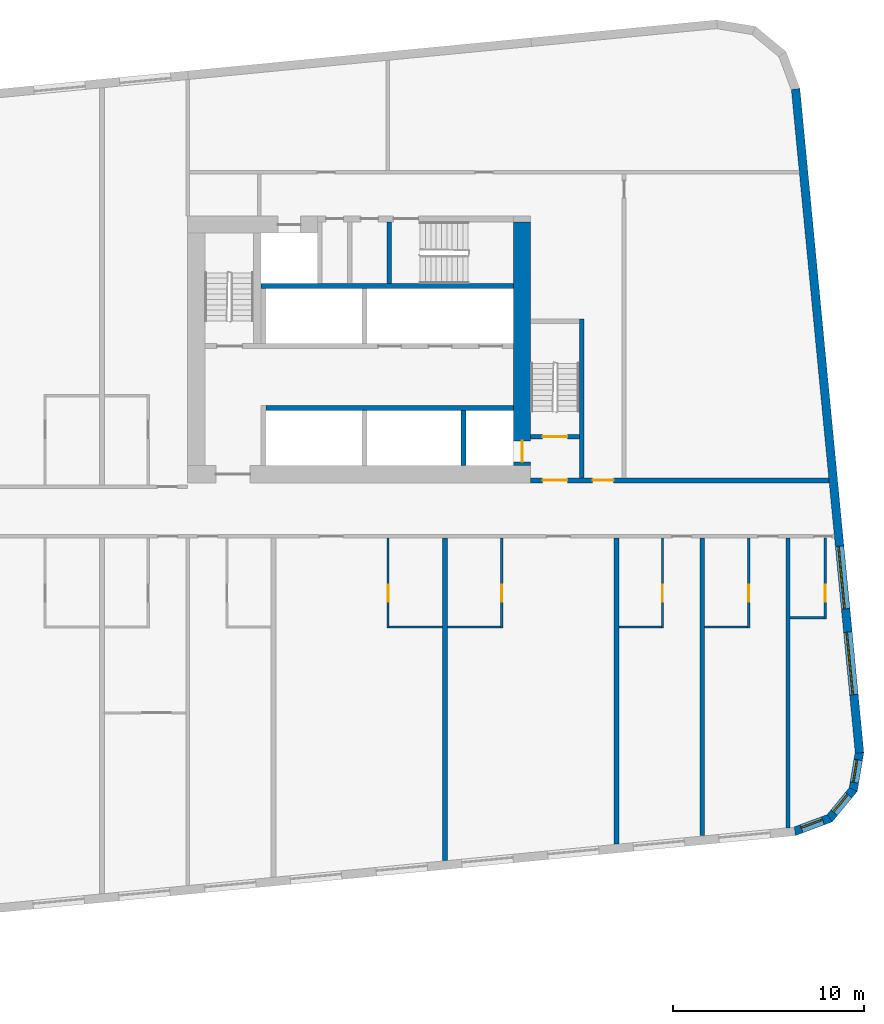
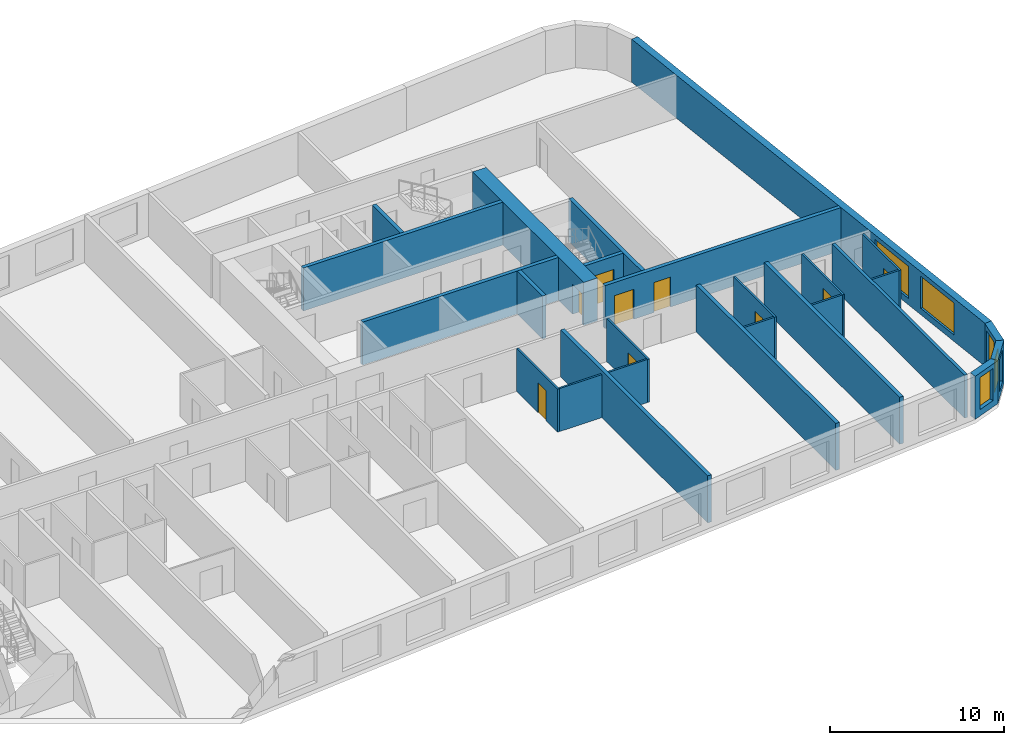
# One storey, part 7 of 12: 26 walls, 9 doors, 5 windows, 14 openings.
"""IFC4 building model written with IfcOpenShell, lengths in metres."""

from ifc_helpers import new_model, si_unit, direction, frame, frame_2d, origin, place, context, subcontext, project, spatial, polyline, rectangle, outline, extrude, material, layer, layer_set, type_object, element, fill, save


model = new_model("IFC4")

# Units and contexts
model_context = context("Model", 3, precision=1e-05, world=origin(), true_north=direction((0.0, 1.0)))
body_context = subcontext(model_context, "Body", "Model", "MODEL_VIEW")
ifc_project = project(units=[si_unit("LENGTHUNIT", "METRE"), si_unit("AREAUNIT", "SQUARE_METRE"), si_unit("VOLUMEUNIT", "CUBIC_METRE"), si_unit("PLANEANGLEUNIT", "RADIAN"), si_unit("MASSUNIT", "GRAM", prefix="KILO")], contexts=[model_context])

# Site, building, storey
site_placement = place(None, origin())
site = spatial("IfcSite", under=ifc_project, at=site_placement, CompositionType="ELEMENT")
building_placement = place(site_placement, origin())
building = spatial("IfcBuilding", under=site, at=building_placement, Name="Kajstack Hotel Tower", CompositionType="ELEMENT")
storey_placement = place(building_placement, frame((0.0, 0.0, 117.39990234375)))
storey = spatial("IfcBuildingStorey", under=building, at=storey_placement, Name="L25", CompositionType="ELEMENT", Elevation=117.39990234375)

# Wall, opening, door
ifc_material_1 = material(Name="Concrete C60/75", Category="concrete")
ifc_layer_1 = layer(ifc_material_1, 0.89990234375)
ifc_layer_set_1 = layer_set([ifc_layer_1], Name="Core wall 900")
wall_type_1 = type_object("IfcWallType", Name="Core wall 900", PredefinedType="SHEAR", material=ifc_layer_set_1)
wall_1_placement = place(storey_placement, frame((31.050048828125, 2.39990234375, 0.0), z_axis=(0.0, 0.0, 1.0), x_axis=(0.0, 1.0, 0.0)))
wall_1 = element("IfcWall", 1, at=wall_1_placement, inside=storey, type_object=wall_type_1, Name="Core wall E RW", PredefinedType="SHEAR", context=body_context, shape_type="SweptSolid", body=[
    extrude(rectangle(XDim=12.800048828125, YDim=0.89990234375, at=frame_2d((6.39990234375, 0.0))), origin(), (0.0, 0.0, 1.0), 3.02001953125),
])
opening_1_placement = place(wall_1_placement, frame((0.199951171875, 0.0, 0.0)))
opening_1 = element("IfcOpeningElement", 2, at=opening_1_placement, cuts=wall_1, Name="Opening LD-FF2", PredefinedType="OPENING", context=body_context, shape_type="SweptSolid", body=[
    extrude(rectangle(XDim=1.10009765625, YDim=2.10009765625, at=frame_2d((0.550048828125, 1.050048828125))), frame((0.0, 0.4599609375, 0.0), z_axis=(0.0, -1.0, 0.0), x_axis=(1.0, 0.0, 0.0)), (0.0, 0.0, 1.0), 0.919921875),
])
ifc_material_2 = material(Name="Stainless steel", Category="steel")
door_type_1 = type_object("IfcDoorType", Name="Fire-fighting lift landing door 1100", OperationType="SLIDING_TO_LEFT", PredefinedType="DOOR", material=ifc_material_2)
door_1_placement = place(opening_1_placement, origin())
door_1 = element("IfcDoor", 3, at=door_1_placement, inside=storey, type_object=door_type_1, Name="Landing door FF2", OperationType="SLIDING_TO_LEFT", OverallHeight=2.10009765625, OverallWidth=1.10009765625, PredefinedType="DOOR", context=body_context, shape_type="SweptSolid", body=[
    extrude(rectangle(XDim=1.10009765625, YDim=2.10009765625, at=frame_2d((0.550048828125, 1.050048828125))), frame((0.0, 0.02490234375, 0.0), z_axis=(0.0, -1.0, 0.0), x_axis=(1.0, 0.0, 0.0)), (0.0, 0.0, 1.0), 0.050048828125),
])
fill(opening_1, door_1)

# Wall
ifc_material_3 = material(Name="Twin-frame gypsum board on steel studs, mineral wool", Category="steel")
ifc_layer_2 = layer(ifc_material_3, 0.199951171875)
ifc_layer_set_2 = layer_set([ifc_layer_2], Name="Demising wall 200")
wall_type_2 = type_object("IfcWallType", Name="Demising wall 200", PredefinedType="PARTITIONING", material=ifc_layer_set_2)
wall_2_placement = place(storey_placement, frame((45.0, -16.59912109375, 0.0), z_axis=(0.0, 0.0, 1.0), x_axis=(0.0, 1.0, 0.0)))
element("IfcWall", 4, at=wall_2_placement, inside=storey, type_object=wall_type_2, Name="G-wall-L25-044", PredefinedType="PARTITIONING", context=body_context, shape_type="SweptSolid", body=[
    extrude(rectangle(XDim=15.19921875, YDim=0.199951171875, at=frame_2d((7.599609375, 0.0))), origin(), (0.0, 0.0, 1.0), 3.02001953125),
])

# Wall, opening, window
ifc_material_4 = material(Name="Terracotta-faced brick masonry", Category="masonry")
ifc_layer_3 = layer(ifc_material_4, 0.449951171875)
ifc_layer_set_3 = layer_set([ifc_layer_3], Name="EW-TERRA")
wall_type_3 = type_object("IfcWallType", Name="EW-TERRA", PredefinedType="SOLIDWALL", material=ifc_layer_set_3)
wall_3_placement = place(storey_placement, frame((45.300048828125, -16.804443359375, 0.0), z_axis=(0.0, 0.0, 1.0), x_axis=(0.936677599948, 0.350192909346, 0.0)))
wall_3 = element("IfcWall", 5, at=wall_3_placement, inside=storey, type_object=wall_type_3, Name="E-wall-L25-05-00", PredefinedType="SOLIDWALL", context=body_context, shape_type="SweptSolid", body=[
    extrude(outline(polyline([(0.0, -0.224853515625), (2.070556640625, -0.224853515625), (1.949951171875, 0.22509765625), (0.12060546875, 0.22509765625), (0.0, -0.224853515625)])), origin(), (0.0, 0.0, 1.0), 3.02001953125),
])
opening_2_placement = place(wall_3_placement, frame((0.435302734375, 0.0, 0.449951171875)))
opening_2 = element("IfcOpeningElement", 6, at=opening_2_placement, cuts=wall_3, Name="Opening W3", PredefinedType="OPENING", context=body_context, shape_type="SweptSolid", body=[
    extrude(rectangle(XDim=1.199951171875, YDim=2.25, at=frame_2d((0.60009765625, 1.125))), frame((0.0, 0.23486328125, 0.0), z_axis=(0.0, -1.0, 0.0), x_axis=(1.0, 0.0, 0.0)), (0.0, 0.0, 1.0), 0.469970703125),
])
ifc_material_5 = material(Name="Timber-aluminium window, triple glazed", Category="wood")
window_type_1 = type_object("IfcWindowType", Name="WG3", PartitioningType="SINGLE_PANEL", PredefinedType="WINDOW", material=ifc_material_5)
window_1_placement = place(opening_2_placement, origin())
window_1 = element("IfcWindow", 7, at=window_1_placement, inside=storey, type_object=window_type_1, Name="Window W3 L25-05", OverallHeight=2.25, OverallWidth=1.199951171875, PartitioningType="SINGLE_PANEL", PredefinedType="WINDOW", context=body_context, shape_type="SweptSolid", body=[
    extrude(rectangle(XDim=1.199951171875, YDim=2.25, at=frame_2d((0.60009765625, 1.125))), frame((0.0, 0.090087890625, 0.0), z_axis=(0.0, -1.0, 0.0), x_axis=(1.0, 0.0, 0.0)), (0.0, 0.0, 1.0), 0.06005859375),
])
fill(opening_2, window_1)

wall_4_placement = place(storey_placement, frame((47.144775390625, -16.14697265625, 0.0), z_axis=(0.0, 0.0, 1.0), x_axis=(0.635988241739, 0.771698747161, 0.0)))
wall_4 = element("IfcWall", 8, at=wall_4_placement, inside=storey, type_object=wall_type_3, Name="E-wall-L25-06-00", PredefinedType="SOLIDWALL", context=body_context, shape_type="SweptSolid", body=[
    extrude(outline(polyline([(0.0, -0.224853515625), (2.070556640625, -0.22509765625), (1.949951171875, 0.224853515625), (0.12060546875, 0.22509765625), (0.0, -0.224853515625)])), origin(), (0.0, 0.0, 1.0), 3.02001953125),
])
opening_3_placement = place(wall_4_placement, frame((0.435302734375, 0.0, 0.449951171875)))
opening_3 = element("IfcOpeningElement", 9, at=opening_3_placement, cuts=wall_4, Name="Opening W3", PredefinedType="OPENING", context=body_context, shape_type="SweptSolid", body=[
    extrude(rectangle(XDim=1.199951171875, YDim=2.25, at=frame_2d((0.60009765625, 1.125))), frame((0.0, 0.23486328125, 0.0), z_axis=(0.0, -1.0, 0.0), x_axis=(1.0, 0.0, 0.0)), (0.0, 0.0, 1.0), 0.469970703125),
])
window_2_placement = place(opening_3_placement, origin())
window_2 = element("IfcWindow", 10, at=window_2_placement, inside=storey, type_object=window_type_1, Name="Window W3 L25-06", OverallHeight=2.25, OverallWidth=1.199951171875, PartitioningType="SINGLE_PANEL", PredefinedType="WINDOW", context=body_context, shape_type="SweptSolid", body=[
    extrude(rectangle(XDim=1.199951171875, YDim=2.25, at=frame_2d((0.60009765625, 1.125))), frame((0.0, 0.090087890625, 0.0), z_axis=(0.0, -1.0, 0.0), x_axis=(1.0, 0.0, 0.0)), (0.0, 0.0, 1.0), 0.06005859375),
])
fill(opening_3, window_2)

wall_5_placement = place(storey_placement, frame((48.413330078125, -14.6552734375, 0.0), z_axis=(0.0, 0.0, 1.0), x_axis=(0.165068144653, 0.986282164302, 0.0)))
wall_5 = element("IfcWall", 11, at=wall_5_placement, inside=storey, type_object=wall_type_3, Name="E-wall-L25-07-00", PredefinedType="SOLIDWALL", context=body_context, shape_type="SweptSolid", body=[
    extrude(outline(polyline([(0.0, -0.22509765625), (2.07080078125, -0.224853515625), (1.9501953125, 0.22509765625), (0.12060546875, 0.224853515625), (0.0, -0.22509765625)])), origin(), (0.0, 0.0, 1.0), 3.02001953125),
])
opening_4_placement = place(wall_5_placement, frame((0.435302734375, 0.0, 0.449951171875)))
opening_4 = element("IfcOpeningElement", 12, at=opening_4_placement, cuts=wall_5, Name="Opening W3", PredefinedType="OPENING", context=body_context, shape_type="SweptSolid", body=[
    extrude(rectangle(XDim=1.199951171875, YDim=2.25, at=frame_2d((0.60009765625, 1.125))), frame((0.0, 0.23486328125, 0.0), z_axis=(0.0, -1.0, 0.0), x_axis=(1.0, 0.0, 0.0)), (0.0, 0.0, 1.0), 0.469970703125),
])
window_3_placement = place(opening_4_placement, origin())
window_3 = element("IfcWindow", 13, at=window_3_placement, inside=storey, type_object=window_type_1, Name="Window W3 L25-07", OverallHeight=2.25, OverallWidth=1.199951171875, PartitioningType="SINGLE_PANEL", PredefinedType="WINDOW", context=body_context, shape_type="SweptSolid", body=[
    extrude(rectangle(XDim=1.199951171875, YDim=2.25, at=frame_2d((0.60009765625, 1.125))), frame((0.0, 0.090087890625, 0.0), z_axis=(0.0, -1.0, 0.0), x_axis=(1.0, 0.0, 0.0)), (0.0, 0.0, 1.0), 0.06005859375),
])
fill(opening_4, window_3)

# Wall, openings, windows
wall_6_placement = place(storey_placement, frame((48.7529296875, -12.671630859375, 0.0), z_axis=(0.0, 0.0, 1.0), x_axis=(-0.095842661909, 0.995396495954, 0.0)))
wall_6 = element("IfcWall", 14, at=wall_6_placement, inside=storey, type_object=wall_type_3, Name="E-wall-L25-08-00", PredefinedType="SOLIDWALL", context=body_context, shape_type="SweptSolid", body=[
    extrude(rectangle(XDim=35.0, YDim=0.449951171875, at=frame_2d((17.5, 0.0))), origin(), (0.0, 0.0, 1.0), 3.02001953125),
])
opening_5_placement = place(wall_6_placement, frame((3.07177734375, 0.0, 0.449951171875)))
opening_5 = element("IfcOpeningElement", 15, at=opening_5_placement, cuts=wall_6, Name="Opening W2", PredefinedType="OPENING", context=body_context, shape_type="SweptSolid", body=[
    extrude(rectangle(XDim=3.300048828125, YDim=2.25, at=frame_2d((1.64990234375, 1.125))), frame((0.0, 0.23486328125, 0.0), z_axis=(0.0, -1.0, 0.0), x_axis=(1.0, 0.0, 0.0)), (0.0, 0.0, 1.0), 0.469970703125),
])
opening_6_placement = place(wall_6_placement, frame((7.592529296875, 0.0, 0.449951171875)))
opening_6 = element("IfcOpeningElement", 16, at=opening_6_placement, cuts=wall_6, Name="Opening W2", PredefinedType="OPENING", context=body_context, shape_type="SweptSolid", body=[
    extrude(rectangle(XDim=3.300048828125, YDim=2.25, at=frame_2d((1.64990234375, 1.125))), frame((0.0, 0.23486328125, 0.0), z_axis=(0.0, -1.0, 0.0), x_axis=(1.0, 0.0, 0.0)), (0.0, 0.0, 1.0), 0.469970703125),
])
window_type_2 = type_object("IfcWindowType", Name="WG2", PartitioningType="SINGLE_PANEL", PredefinedType="WINDOW", material=ifc_material_5)
window_4_placement = place(opening_5_placement, origin())
window_4 = element("IfcWindow", 17, at=window_4_placement, inside=storey, type_object=window_type_2, Name="Window W2 L25-08", OverallHeight=2.25, OverallWidth=3.300048828125, PartitioningType="SINGLE_PANEL", PredefinedType="WINDOW", context=body_context, shape_type="SweptSolid", body=[
    extrude(rectangle(XDim=3.300048828125, YDim=2.25, at=frame_2d((1.64990234375, 1.125))), frame((0.0, 0.090087890625, 0.0), z_axis=(0.0, -1.0, 0.0), x_axis=(1.0, 0.0, 0.0)), (0.0, 0.0, 1.0), 0.06005859375),
])
fill(opening_5, window_4)
window_5_placement = place(opening_6_placement, origin())
window_5 = element("IfcWindow", 18, at=window_5_placement, inside=storey, type_object=window_type_2, Name="Window W2 L25-08", OverallHeight=2.25, OverallWidth=3.300048828125, PartitioningType="SINGLE_PANEL", PredefinedType="WINDOW", context=body_context, shape_type="SweptSolid", body=[
    extrude(rectangle(XDim=3.300048828125, YDim=2.25, at=frame_2d((1.64990234375, 1.125))), frame((0.0, 0.090087890625, 0.0), z_axis=(0.0, -1.0, 0.0), x_axis=(1.0, 0.0, 0.0)), (0.0, 0.0, 1.0), 0.06005859375),
])
fill(opening_6, window_5)

# Wall, opening, door
ifc_material_6 = material(Name="Gypsum board and tiled backer on steel studs", Category="steel")
ifc_layer_4 = layer(ifc_material_6, 0.125)
ifc_layer_set_4 = layer_set([ifc_layer_4], Name="En-suite wall 125")
wall_type_4 = type_object("IfcWallType", Name="En-suite wall 125", PredefinedType="PARTITIONING", material=ifc_layer_set_4)
wall_7_placement = place(storey_placement, frame((24.011962890625, -6.125, 0.0), z_axis=(0.0, 0.0, 1.0), x_axis=(0.0, 1.0, 0.0)))
wall_7 = element("IfcWall", 19, at=wall_7_placement, inside=storey, type_object=wall_type_4, Name="G-wall-L25-038", PredefinedType="PARTITIONING", context=body_context, shape_type="SweptSolid", body=[
    extrude(rectangle(XDim=4.72509765625, YDim=0.125, at=frame_2d((2.362548828125, 0.0))), origin(), (0.0, 0.0, 1.0), 3.02001953125),
])
opening_7_placement = place(wall_7_placement, frame((1.375, 0.0, 0.0)))
opening_7 = element("IfcOpeningElement", 20, at=opening_7_placement, cuts=wall_7, Name="Opening 25032", PredefinedType="OPENING", context=body_context, shape_type="SweptSolid", body=[
    extrude(rectangle(XDim=0.89990234375, YDim=2.10009765625, at=frame_2d((0.449951171875, 1.050048828125))), frame((0.0, 0.072509765625, 0.0), z_axis=(0.0, -1.0, 0.0), x_axis=(1.0, 0.0, 0.0)), (0.0, 0.0, 1.0), 0.14501953125),
])
ifc_material_7 = material(Name="Painted timber door leaf", Category="wood")
door_type_2 = type_object("IfcDoorType", Name="Room door 900", OperationType="SINGLE_SWING_LEFT", PredefinedType="DOOR", material=ifc_material_7)
door_2_placement = place(opening_7_placement, origin())
door_2 = element("IfcDoor", 21, at=door_2_placement, inside=storey, type_object=door_type_2, Name="G-door-L25-32", OperationType="SINGLE_SWING_RIGHT", OverallHeight=2.10009765625, OverallWidth=0.89990234375, PredefinedType="DOOR", context=body_context, shape_type="SweptSolid", body=[
    extrude(rectangle(XDim=0.89990234375, YDim=2.10009765625, at=frame_2d((0.449951171875, 1.050048828125))), frame((0.0, 0.02490234375, 0.0), z_axis=(0.0, -1.0, 0.0), x_axis=(1.0, 0.0, 0.0)), (0.0, 0.0, 1.0), 0.050048828125),
])
fill(opening_7, door_2)

# Wall
wall_8_placement = place(storey_placement, frame((24.074951171875, -6.06201171875, 0.0), z_axis=(0.0, 0.0, 1.0), x_axis=(1.0, 0.0, 0.0)))
element("IfcWall", 22, at=wall_8_placement, inside=storey, type_object=wall_type_4, Name="G-wall-L25-039", PredefinedType="PARTITIONING", context=body_context, shape_type="SweptSolid", body=[
    extrude(rectangle(XDim=2.800048828125, YDim=0.125, at=frame_2d((1.39990234375, 0.0))), origin(), (0.0, 0.0, 1.0), 3.02001953125),
])

# Wall, opening, door
wall_9_placement = place(storey_placement, frame((29.988037109375, -6.125, 0.0), z_axis=(0.0, 0.0, 1.0), x_axis=(0.0, 1.0, 0.0)))
wall_9 = element("IfcWall", 23, at=wall_9_placement, inside=storey, type_object=wall_type_4, Name="G-wall-L25-040", PredefinedType="PARTITIONING", context=body_context, shape_type="SweptSolid", body=[
    extrude(rectangle(XDim=4.72509765625, YDim=0.125, at=frame_2d((2.362548828125, 0.0))), origin(), (0.0, 0.0, 1.0), 3.02001953125),
])
opening_8_placement = place(wall_9_placement, frame((1.375, 0.0, 0.0)))
opening_8 = element("IfcOpeningElement", 24, at=opening_8_placement, cuts=wall_9, Name="Opening 25034", PredefinedType="OPENING", context=body_context, shape_type="SweptSolid", body=[
    extrude(rectangle(XDim=0.89990234375, YDim=2.10009765625, at=frame_2d((0.449951171875, 1.050048828125))), frame((0.0, 0.072509765625, 0.0), z_axis=(0.0, -1.0, 0.0), x_axis=(1.0, 0.0, 0.0)), (0.0, 0.0, 1.0), 0.14501953125),
])
door_3_placement = place(opening_8_placement, origin())
door_3 = element("IfcDoor", 25, at=door_3_placement, inside=storey, type_object=door_type_2, Name="G-door-L25-34", OperationType="SINGLE_SWING_RIGHT", OverallHeight=2.10009765625, OverallWidth=0.89990234375, PredefinedType="DOOR", context=body_context, shape_type="SweptSolid", body=[
    extrude(rectangle(XDim=0.89990234375, YDim=2.10009765625, at=frame_2d((0.449951171875, 1.050048828125))), frame((0.0, 0.02490234375, 0.0), z_axis=(0.0, -1.0, 0.0), x_axis=(1.0, 0.0, 0.0)), (0.0, 0.0, 1.0), 0.050048828125),
])
fill(opening_8, door_3)

# Wall
wall_10_placement = place(storey_placement, frame((27.125, -6.06201171875, 0.0), z_axis=(0.0, 0.0, 1.0), x_axis=(1.0, 0.0, 0.0)))
element("IfcWall", 26, at=wall_10_placement, inside=storey, type_object=wall_type_4, Name="G-wall-L25-041", PredefinedType="PARTITIONING", context=body_context, shape_type="SweptSolid", body=[
    extrude(rectangle(XDim=2.800048828125, YDim=0.125, at=frame_2d((1.39990234375, 0.0))), origin(), (0.0, 0.0, 1.0), 3.02001953125),
])

# Wall, opening, door
wall_11_placement = place(storey_placement, frame((38.4130859375, -6.125, 0.0), z_axis=(0.0, 0.0, 1.0), x_axis=(0.0, 1.0, 0.0)))
wall_11 = element("IfcWall", 27, at=wall_11_placement, inside=storey, type_object=wall_type_4, Name="G-wall-L25-042", PredefinedType="PARTITIONING", context=body_context, shape_type="SweptSolid", body=[
    extrude(rectangle(XDim=4.72509765625, YDim=0.125, at=frame_2d((2.362548828125, 0.0))), origin(), (0.0, 0.0, 1.0), 3.02001953125),
])
opening_9_placement = place(wall_11_placement, frame((1.375, 0.0, 0.0)))
opening_9 = element("IfcOpeningElement", 28, at=opening_9_placement, cuts=wall_11, Name="Opening 25036", PredefinedType="OPENING", context=body_context, shape_type="SweptSolid", body=[
    extrude(rectangle(XDim=0.89990234375, YDim=2.10009765625, at=frame_2d((0.449951171875, 1.050048828125))), frame((0.0, 0.072509765625, 0.0), z_axis=(0.0, -1.0, 0.0), x_axis=(1.0, 0.0, 0.0)), (0.0, 0.0, 1.0), 0.14501953125),
])
door_4_placement = place(opening_9_placement, origin())
door_4 = element("IfcDoor", 29, at=door_4_placement, inside=storey, type_object=door_type_2, Name="G-door-L25-36", OperationType="SINGLE_SWING_RIGHT", OverallHeight=2.10009765625, OverallWidth=0.89990234375, PredefinedType="DOOR", context=body_context, shape_type="SweptSolid", body=[
    extrude(rectangle(XDim=0.89990234375, YDim=2.10009765625, at=frame_2d((0.449951171875, 1.050048828125))), frame((0.0, 0.02490234375, 0.0), z_axis=(0.0, -1.0, 0.0), x_axis=(1.0, 0.0, 0.0)), (0.0, 0.0, 1.0), 0.050048828125),
])
fill(opening_9, door_4)

# Wall
wall_12_placement = place(storey_placement, frame((36.125, -6.06201171875, 0.0), z_axis=(0.0, 0.0, 1.0), x_axis=(1.0, 0.0, 0.0)))
element("IfcWall", 30, at=wall_12_placement, inside=storey, type_object=wall_type_4, Name="G-wall-L25-043", PredefinedType="PARTITIONING", context=body_context, shape_type="SweptSolid", body=[
    extrude(rectangle(XDim=2.22509765625, YDim=0.125, at=frame_2d((1.112548828125, 0.0))), origin(), (0.0, 0.0, 1.0), 3.02001953125),
])

# Wall, opening, door
wall_13_placement = place(storey_placement, frame((42.93798828125, -6.125, 0.0), z_axis=(0.0, 0.0, 1.0), x_axis=(0.0, 1.0, 0.0)))
wall_13 = element("IfcWall", 31, at=wall_13_placement, inside=storey, type_object=wall_type_4, Name="G-wall-L25-045", PredefinedType="PARTITIONING", context=body_context, shape_type="SweptSolid", body=[
    extrude(rectangle(XDim=4.72509765625, YDim=0.125, at=frame_2d((2.362548828125, 0.0))), origin(), (0.0, 0.0, 1.0), 3.02001953125),
])
opening_10_placement = place(wall_13_placement, frame((1.375, 0.0, 0.0)))
opening_10 = element("IfcOpeningElement", 32, at=opening_10_placement, cuts=wall_13, Name="Opening 25038", PredefinedType="OPENING", context=body_context, shape_type="SweptSolid", body=[
    extrude(rectangle(XDim=0.89990234375, YDim=2.10009765625, at=frame_2d((0.449951171875, 1.050048828125))), frame((0.0, 0.072509765625, 0.0), z_axis=(0.0, -1.0, 0.0), x_axis=(1.0, 0.0, 0.0)), (0.0, 0.0, 1.0), 0.14501953125),
])
door_5_placement = place(opening_10_placement, origin())
door_5 = element("IfcDoor", 33, at=door_5_placement, inside=storey, type_object=door_type_2, Name="G-door-L25-38", OperationType="SINGLE_SWING_LEFT", OverallHeight=2.10009765625, OverallWidth=0.89990234375, PredefinedType="DOOR", context=body_context, shape_type="SweptSolid", body=[
    extrude(rectangle(XDim=0.89990234375, YDim=2.10009765625, at=frame_2d((0.449951171875, 1.050048828125))), frame((0.0, 0.02490234375, 0.0), z_axis=(0.0, -1.0, 0.0), x_axis=(1.0, 0.0, 0.0)), (0.0, 0.0, 1.0), 0.050048828125),
])
fill(opening_10, door_5)

# Wall
wall_14_placement = place(storey_placement, frame((40.625, -6.06201171875, 0.0), z_axis=(0.0, 0.0, 1.0), x_axis=(1.0, 0.0, 0.0)))
element("IfcWall", 34, at=wall_14_placement, inside=storey, type_object=wall_type_4, Name="G-wall-L25-046", PredefinedType="PARTITIONING", context=body_context, shape_type="SweptSolid", body=[
    extrude(rectangle(XDim=2.25, YDim=0.125, at=frame_2d((1.125, 0.0))), origin(), (0.0, 0.0, 1.0), 3.02001953125),
])

# Wall, opening, door
wall_15_placement = place(storey_placement, frame((46.9619140625, -5.634033203125, 0.0), z_axis=(0.0, 0.0, 1.0), x_axis=(0.0, 1.0, 0.0)))
wall_15 = element("IfcWall", 35, at=wall_15_placement, inside=storey, type_object=wall_type_4, Name="G-wall-L25-047", PredefinedType="PARTITIONING", context=body_context, shape_type="SweptSolid", body=[
    extrude(rectangle(XDim=4.234130859375, YDim=0.125, at=frame_2d((2.1171875, 0.0))), origin(), (0.0, 0.0, 1.0), 3.02001953125),
])
opening_11_placement = place(wall_15_placement, frame((0.884033203125, 0.0, 0.0)))
opening_11 = element("IfcOpeningElement", 36, at=opening_11_placement, cuts=wall_15, Name="Opening 25040", PredefinedType="OPENING", context=body_context, shape_type="SweptSolid", body=[
    extrude(rectangle(XDim=0.89990234375, YDim=2.10009765625, at=frame_2d((0.449951171875, 1.050048828125))), frame((0.0, 0.072509765625, 0.0), z_axis=(0.0, -1.0, 0.0), x_axis=(1.0, 0.0, 0.0)), (0.0, 0.0, 1.0), 0.14501953125),
])
door_6_placement = place(opening_11_placement, origin())
door_6 = element("IfcDoor", 37, at=door_6_placement, inside=storey, type_object=door_type_2, Name="G-door-L25-40", OperationType="SINGLE_SWING_LEFT", OverallHeight=2.10009765625, OverallWidth=0.89990234375, PredefinedType="DOOR", context=body_context, shape_type="SweptSolid", body=[
    extrude(rectangle(XDim=0.89990234375, YDim=2.10009765625, at=frame_2d((0.449951171875, 1.050048828125))), frame((0.0, 0.02490234375, 0.0), z_axis=(0.0, -1.0, 0.0), x_axis=(1.0, 0.0, 0.0)), (0.0, 0.0, 1.0), 0.050048828125),
])
fill(opening_11, door_6)

# Walls
wall_16_placement = place(storey_placement, frame((45.10009765625, -5.572021484375, 0.0), z_axis=(0.0, 0.0, 1.0), x_axis=(1.0, 0.0, 0.0)))
element("IfcWall", 38, at=wall_16_placement, inside=storey, type_object=wall_type_4, Name="G-wall-L25-048", PredefinedType="PARTITIONING", context=body_context, shape_type="SweptSolid", body=[
    extrude(rectangle(XDim=1.7998046875, YDim=0.125, at=frame_2d((0.89990234375, 0.0))), origin(), (0.0, 0.0, 1.0), 3.02001953125),
])
ifc_material_8 = material(Name="Concrete C55/67", Category="concrete")
ifc_layer_5 = layer(ifc_material_8, 0.25)
ifc_layer_set_5 = layer_set([ifc_layer_5], Name="RC cross wall 250 C55/67")
wall_type_5 = type_object("IfcWallType", Name="RC cross wall 250 C55/67", PredefinedType="SHEAR", material=ifc_layer_set_5)
wall_17_placement = place(storey_placement, frame((27.0, -18.310546875, 0.0), z_axis=(0.0, 0.0, 1.0), x_axis=(0.0, 1.0, 0.0)))
element("IfcWall", 39, at=wall_17_placement, inside=storey, type_object=wall_type_5, Name="S-wall-L25-11", PredefinedType="SHEAR", context=body_context, shape_type="SweptSolid", body=[
    extrude(rectangle(XDim=16.91064453125, YDim=0.25, at=frame_2d((8.455322265625, 0.0))), origin(), (0.0, 0.0, 1.0), 3.300048828125),
])
wall_18_placement = place(storey_placement, frame((36.0, -17.444091796875, 0.0), z_axis=(0.0, 0.0, 1.0), x_axis=(0.0, 1.0, 0.0)))
element("IfcWall", 40, at=wall_18_placement, inside=storey, type_object=wall_type_5, Name="S-wall-L25-12", PredefinedType="SHEAR", context=body_context, shape_type="SweptSolid", body=[
    extrude(rectangle(XDim=16.044189453125, YDim=0.25, at=frame_2d((8.02197265625, 0.0))), origin(), (0.0, 0.0, 1.0), 3.300048828125),
])
wall_19_placement = place(storey_placement, frame((40.5, -17.0107421875, 0.0), z_axis=(0.0, 0.0, 1.0), x_axis=(0.0, 1.0, 0.0)))
element("IfcWall", 41, at=wall_19_placement, inside=storey, type_object=wall_type_5, Name="S-wall-L25-13", PredefinedType="SHEAR", context=body_context, shape_type="SweptSolid", body=[
    extrude(rectangle(XDim=15.61083984375, YDim=0.25, at=frame_2d((7.805419921875, 0.0))), origin(), (0.0, 0.0, 1.0), 3.300048828125),
])

# Wall, openings, doors
ifc_material_9 = material(Name="Gypsum board on steel studs, mineral wool", Category="steel")
ifc_layer_6 = layer(ifc_material_9, 0.199951171875)
ifc_layer_set_6 = layer_set([ifc_layer_6], Name="Service partition 200")
wall_type_6 = type_object("IfcWallType", Name="Service partition 200", PredefinedType="PARTITIONING", material=ifc_layer_set_6)
wall_20_placement = place(storey_placement, frame((31.5, 1.625, 0.0), z_axis=(0.0, 0.0, 1.0), x_axis=(1.0, 0.0, 0.0)))
wall_20 = element("IfcWall", 42, at=wall_20_placement, inside=storey, type_object=wall_type_6, Name="Partition E SN", PredefinedType="PARTITIONING", context=body_context, shape_type="SweptSolid", body=[
    extrude(rectangle(XDim=15.650390625, YDim=0.25, at=frame_2d((7.8251953125, 0.0))), origin(), (0.0, 0.0, 1.0), 3.02001953125),
])
opening_12_placement = place(wall_20_placement, frame((0.625, 0.0, 0.0)))
opening_12 = element("IfcOpeningElement", 43, at=opening_12_placement, cuts=wall_20, Name="Opening 25E07", PredefinedType="OPENING", context=body_context, shape_type="SweptSolid", body=[
    extrude(rectangle(XDim=1.300048828125, YDim=2.10009765625, at=frame_2d((0.64990234375, 1.050048828125))), frame((0.0, 0.135009765625, 0.0), z_axis=(0.0, -1.0, 0.0), x_axis=(1.0, 0.0, 0.0)), (0.0, 0.0, 1.0), 0.27001953125),
])
opening_13_placement = place(wall_20_placement, frame((3.25, 0.0, 0.0)))
opening_13 = element("IfcOpeningElement", 44, at=opening_13_placement, cuts=wall_20, Name="Opening 25E09", PredefinedType="OPENING", context=body_context, shape_type="SweptSolid", body=[
    extrude(rectangle(XDim=1.10009765625, YDim=2.10009765625, at=frame_2d((0.550048828125, 1.050048828125))), frame((0.0, 0.135009765625, 0.0), z_axis=(0.0, -1.0, 0.0), x_axis=(1.0, 0.0, 0.0)), (0.0, 0.0, 1.0), 0.27001953125),
])
ifc_material_10 = material(Name="Steel leaf, fire-rated", Category="steel")
door_type_3 = type_object("IfcDoorType", Name="Fire lobby door 1300", OperationType="SINGLE_SWING_LEFT", PredefinedType="DOOR", material=ifc_material_10)
door_7_placement = place(opening_12_placement, origin())
door_7 = element("IfcDoor", 45, at=door_7_placement, inside=storey, type_object=door_type_3, Name="Door 25E07", OperationType="SINGLE_SWING_LEFT", OverallHeight=2.10009765625, OverallWidth=1.300048828125, PredefinedType="DOOR", context=body_context, shape_type="SweptSolid", body=[
    extrude(rectangle(XDim=1.300048828125, YDim=2.10009765625, at=frame_2d((0.64990234375, 1.050048828125))), frame((0.0, 0.02490234375, 0.0), z_axis=(0.0, -1.0, 0.0), x_axis=(1.0, 0.0, 0.0)), (0.0, 0.0, 1.0), 0.050048828125),
])
fill(opening_12, door_7)
ifc_material_11 = material(Name="Timber leaf, fire-rated", Category="wood")
door_type_4 = type_object("IfcDoorType", Name="Service corridor door 1100", OperationType="SINGLE_SWING_LEFT", PredefinedType="DOOR", material=ifc_material_11)
door_8_placement = place(opening_13_placement, origin())
door_8 = element("IfcDoor", 46, at=door_8_placement, inside=storey, type_object=door_type_4, Name="Door 25E09", OperationType="SINGLE_SWING_LEFT", OverallHeight=2.10009765625, OverallWidth=1.10009765625, PredefinedType="DOOR", context=body_context, shape_type="SweptSolid", body=[
    extrude(rectangle(XDim=1.10009765625, YDim=2.10009765625, at=frame_2d((0.550048828125, 1.050048828125))), frame((0.0, 0.02490234375, 0.0), z_axis=(0.0, -1.0, 0.0), x_axis=(1.0, 0.0, 0.0)), (0.0, 0.0, 1.0), 0.050048828125),
])
fill(opening_13, door_8)

# Walls
ifc_material_12 = material(Name="Concrete C50/60", Category="concrete")
ifc_layer_7 = layer(ifc_material_12, 0.25)
ifc_layer_set_7 = layer_set([ifc_layer_7], Name="Shaft wall 250")
wall_type_7 = type_object("IfcWallType", Name="Shaft wall 250", PredefinedType="SHEAR", material=ifc_layer_set_7)
wall_21_placement = place(storey_placement, frame((17.60009765625, 5.425048828125, 0.0), z_axis=(0.0, 0.0, 1.0), x_axis=(1.0, 0.0, 0.0)))
element("IfcWall", 47, at=wall_21_placement, inside=storey, type_object=wall_type_7, Name="Core wall E FA", PredefinedType="SHEAR", context=body_context, shape_type="SweptSolid", body=[
    extrude(rectangle(XDim=13.0, YDim=0.25, at=frame_2d((6.5, 0.0))), origin(), (0.0, 0.0, 1.0), 3.02001953125),
])
wall_22_placement = place(storey_placement, frame((27.97509765625, 2.39990234375, 0.0), z_axis=(0.0, 0.0, 1.0), x_axis=(0.0, 1.0, 0.0)))
element("IfcWall", 48, at=wall_22_placement, inside=storey, type_object=wall_type_7, Name="Core wall E AP0", PredefinedType="SHEAR", context=body_context, shape_type="SweptSolid", body=[
    extrude(rectangle(XDim=2.900146484375, YDim=0.25, at=frame_2d((1.4501953125, 0.0))), origin(), (0.0, 0.0, 1.0), 3.02001953125),
])
wall_23_placement = place(storey_placement, frame((17.35009765625, 11.824951171875, 0.0), z_axis=(0.0, 0.0, 1.0), x_axis=(1.0, 0.0, 0.0)))
element("IfcWall", 49, at=wall_23_placement, inside=storey, type_object=wall_type_7, Name="Core wall E RB", PredefinedType="SHEAR", context=body_context, shape_type="SweptSolid", body=[
    extrude(rectangle(XDim=13.25, YDim=0.25, at=frame_2d((6.625, 0.0))), origin(), (0.0, 0.0, 1.0), 3.02001953125),
])

# Wall, opening, door
ifc_material_13 = material(Name="Concrete C40/50", Category="concrete")
ifc_layer_8 = layer(ifc_material_13, 0.25)
ifc_layer_set_8 = layer_set([ifc_layer_8], Name="Stair enclosure wall 250")
wall_type_8 = type_object("IfcWallType", Name="Stair enclosure wall 250", PredefinedType="SHEAR", material=ifc_layer_set_8)
wall_24_placement = place(storey_placement, frame((31.5, 3.925048828125, 0.0), z_axis=(0.0, 0.0, 1.0), x_axis=(1.0, 0.0, 0.0)))
wall_24 = element("IfcWall", 50, at=wall_24_placement, inside=storey, type_object=wall_type_8, Name="Core wall E W1N", PredefinedType="SHEAR", context=body_context, shape_type="SweptSolid", body=[
    extrude(rectangle(XDim=2.550048828125, YDim=0.25, at=frame_2d((1.27490234375, 0.0))), origin(), (0.0, 0.0, 1.0), 3.02001953125),
])
opening_14_placement = place(wall_24_placement, frame((0.625, 0.0, 0.0)))
opening_14 = element("IfcOpeningElement", 51, at=opening_14_placement, cuts=wall_24, Name="Opening 25E08", PredefinedType="OPENING", context=body_context, shape_type="SweptSolid", body=[
    extrude(rectangle(XDim=1.300048828125, YDim=2.10009765625, at=frame_2d((0.64990234375, 1.050048828125))), frame((0.0, 0.135009765625, 0.0), z_axis=(0.0, -1.0, 0.0), x_axis=(1.0, 0.0, 0.0)), (0.0, 0.0, 1.0), 0.27001953125),
])
door_type_5 = type_object("IfcDoorType", Name="Stair door 1300", OperationType="SINGLE_SWING_LEFT", PredefinedType="DOOR", material=ifc_material_10)
door_9_placement = place(opening_14_placement, origin())
door_9 = element("IfcDoor", 52, at=door_9_placement, inside=storey, type_object=door_type_5, Name="Door 25E08", OperationType="SINGLE_SWING_LEFT", OverallHeight=2.10009765625, OverallWidth=1.300048828125, PredefinedType="DOOR", context=body_context, shape_type="SweptSolid", body=[
    extrude(rectangle(XDim=1.300048828125, YDim=2.10009765625, at=frame_2d((0.64990234375, 1.050048828125))), frame((0.0, 0.02490234375, 0.0), z_axis=(0.0, -1.0, 0.0), x_axis=(1.0, 0.0, 0.0)), (0.0, 0.0, 1.0), 0.050048828125),
])
fill(opening_14, door_9)

# Walls
wall_25_placement = place(storey_placement, frame((34.175048828125, 1.75, 0.0), z_axis=(0.0, 0.0, 1.0), x_axis=(0.0, 1.0, 0.0)))
element("IfcWall", 53, at=wall_25_placement, inside=storey, type_object=wall_type_8, Name="Core wall E W1W", PredefinedType="SHEAR", context=body_context, shape_type="SweptSolid", body=[
    extrude(rectangle(XDim=8.35009765625, YDim=0.25, at=frame_2d((4.175048828125, 0.0))), origin(), (0.0, 0.0, 1.0), 3.02001953125),
])
ifc_layer_9 = layer(ifc_material_12, 0.35009765625)
ifc_layer_set_9 = layer_set([ifc_layer_9], Name="Stair enclosure wall 350")
wall_type_9 = type_object("IfcWallType", Name="Stair enclosure wall 350", PredefinedType="SHEAR", material=ifc_layer_set_9)
wall_26_placement = place(storey_placement, frame((24.074951171875, 11.949951171875, 0.0), z_axis=(0.0, 0.0, 1.0), x_axis=(0.0, 1.0, 0.0)))
element("IfcWall", 54, at=wall_26_placement, inside=storey, type_object=wall_type_9, Name="Core wall E W3E", PredefinedType="SHEAR", context=body_context, shape_type="SweptSolid", body=[
    extrude(rectangle(XDim=3.25, YDim=0.25, at=frame_2d((1.625, 0.0))), origin(), (0.0, 0.0, 1.0), 3.02001953125),
])

save(model, "model.ifc")
